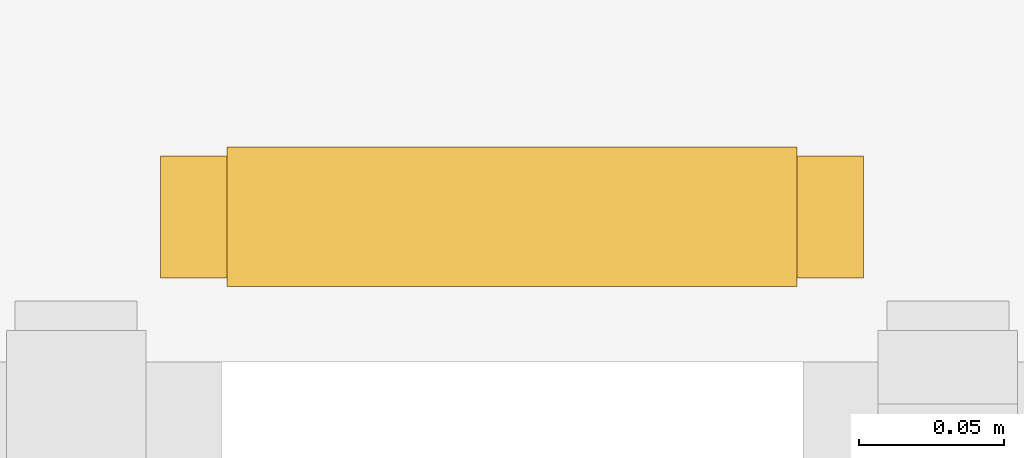
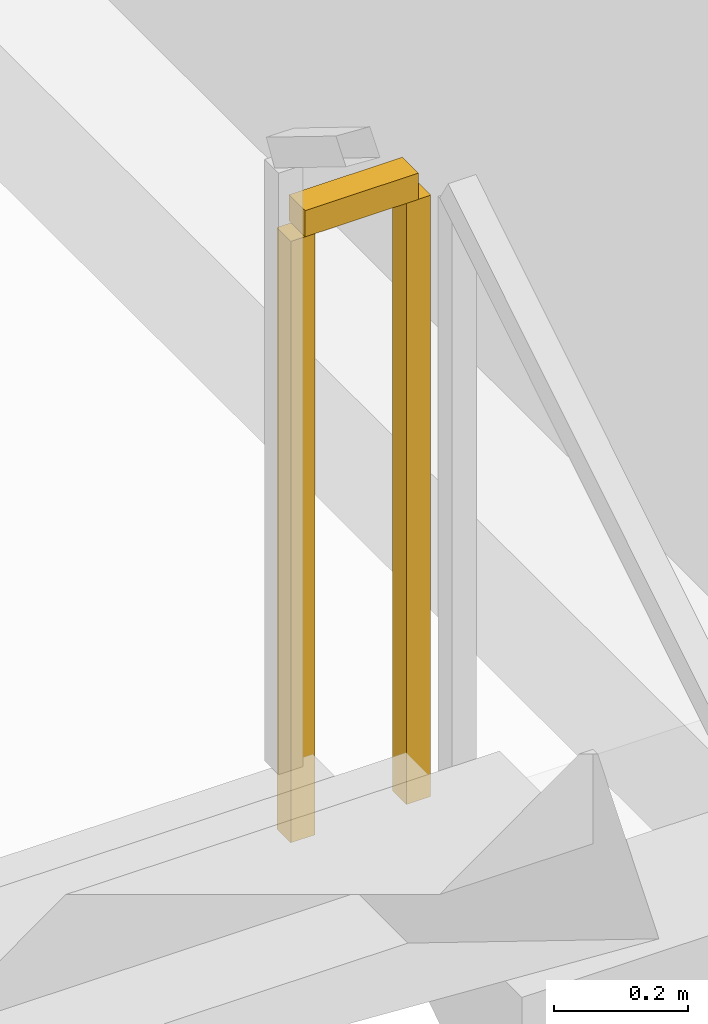
# One storey, part 29 of 29: 1 railing.
"""IFC4 building model written with IfcOpenShell, lengths in metres."""

import ifcopenshell
import ifcopenshell.guid

model = None  # the IFC model being written
_history = None  # IfcOwnerHistory: only IFC2X3 demands one
_inside = {}  # id of a spatial element -> (the spatial element, [elements in it])
_under = {}  # id of a project, library or spatial element -> (it, [spatial elements below it])
_declared = {}  # id of a project -> (the project, [libraries it declares])
_typed = {}  # id of a type object -> (the type object, [elements of that type])
_made_of = {}  # id of a material, layer set ... -> (it, [elements and type objects made of it])


def new_model(schema):
    """Start an empty IFC model of exactly this schema.

    Asked for "IFC4X3", IfcOpenShell would pick the latest addendum, in which some entities
    have other attributes; the version numbers below select the first issue.
    IFC2X3 requires an IfcOwnerHistory on every rooted entity: one is made here for all.
    """
    global model, _history
    if schema == "IFC4X3":
        model = ifcopenshell.file(schema_version=(4, 3, 0, 0))
    else:
        model = ifcopenshell.file(schema=schema)
    _inside.clear()
    _under.clear()
    _declared.clear()
    _typed.clear()
    _made_of.clear()
    _history = None
    if model.schema == "IFC2X3":
        org = make("IfcOrganization", Name="unknown")
        user = make(
            "IfcPersonAndOrganization",
            ThePerson=make("IfcPerson", FamilyName="unknown"),
            TheOrganization=org,
        )
        app = make(
            "IfcApplication",
            ApplicationDeveloper=org,
            Version="unknown",
            ApplicationFullName="unknown",
            ApplicationIdentifier="unknown",
        )
        _history = make(
            "IfcOwnerHistory",
            OwningUser=user,
            OwningApplication=app,
            ChangeAction="ADDED",
            CreationDate=0,
        )
    return model


def make(cls, **values):
    """One entity of the class cls with the attributes given. An attribute that is None is left unset."""
    return model.create_entity(
        cls, **{name: value for name, value in values.items() if value is not None}
    )


def rooted(cls, **values):
    """An entity with a GlobalId (a new one), such as an element, a storey or a relation."""
    return make(cls, GlobalId=ifcopenshell.guid.new(), OwnerHistory=_history, **values)


def si_unit(unit_type, name, prefix=None):
    """IfcSIUnit, for example si_unit("LENGTHUNIT", "METRE", prefix="MILLI")."""
    return make("IfcSIUnit", UnitType=unit_type, Prefix=prefix, Name=name)


def assignment(units):
    """IfcUnitAssignment: the units of a project."""
    return None if units is None else make("IfcUnitAssignment", Units=units)


def point(xyz):
    """IfcCartesianPoint."""
    return None if xyz is None else make("IfcCartesianPoint", Coordinates=xyz)


def direction(xyz):
    """IfcDirection."""
    return None if xyz is None else make("IfcDirection", DirectionRatios=xyz)


def frame(location, z_axis=None, x_axis=None):
    """IfcAxis2Placement3D, a coordinate frame: its origin and axes. An axis left out is left unset."""
    return make(
        "IfcAxis2Placement3D",
        Location=point(location),
        Axis=direction(z_axis),
        RefDirection=direction(x_axis),
    )


def frame_2d(location, x_axis=None):
    """IfcAxis2Placement2D, a coordinate frame in the plane: its origin and x axis."""
    return make(
        "IfcAxis2Placement2D", Location=point(location), RefDirection=direction(x_axis)
    )


def origin():
    """The frame at (0, 0, 0) with its axes left unset."""
    return frame((0.0, 0.0, 0.0))


def origin_2d():
    """The frame at (0, 0) in the plane with its x axis left unset."""
    return frame_2d((0.0, 0.0))


def place(relative_to, where):
    """IfcLocalPlacement: puts the frame where relative to a parent placement (None: the world)."""
    return make(
        "IfcLocalPlacement", PlacementRelTo=relative_to, RelativePlacement=where
    )


def context(
    kind, dimensions, precision=None, world=None, true_north=None, identifier=None
):
    """IfcGeometricRepresentationContext, for example the 3D "Model" context."""
    return make(
        "IfcGeometricRepresentationContext",
        ContextIdentifier=identifier,
        ContextType=kind,
        CoordinateSpaceDimension=dimensions,
        Precision=precision,
        WorldCoordinateSystem=world,
        TrueNorth=true_north,
    )


def subcontext(parent, identifier, kind, view, scale=None):
    """IfcGeometricRepresentationSubContext, for example "Body" below "Model"."""
    return make(
        "IfcGeometricRepresentationSubContext",
        ContextIdentifier=identifier,
        ContextType=kind,
        ParentContext=parent,
        TargetScale=scale,
        TargetView=view,
    )


def project(units=None, contexts=None):
    """IfcProject with its units and contexts."""
    return rooted(
        "IfcProject",
        Name="project",
        RepresentationContexts=contexts,
        UnitsInContext=assignment(units),
    )


def spatial(cls, under=None, at=None, **own):
    """A site, building, storey or space (cls), placed at a placement, below another one or the project."""
    s = rooted(cls, ObjectPlacement=at, **own)
    if under is not None:
        _under.setdefault(under.id(), (under, []))[1].append(s)
    return s


def profile(cls, at=None, kind="AREA", **sizes):
    """A parametric profile (cls). Its sizes go by their IFC names, for example OverallWidth=200.0."""
    return make(cls, ProfileType=kind, Position=at, **sizes)


def rectangle(**sizes):
    """IfcRectangleProfileDef."""
    return profile("IfcRectangleProfileDef", **sizes)


def extrude(swept, where, along, depth):
    """IfcExtrudedAreaSolid: the profile swept, set in the frame where, extruded along a direction by depth."""
    return make(
        "IfcExtrudedAreaSolid",
        SweptArea=swept,
        Position=where,
        ExtrudedDirection=direction(along),
        Depth=depth,
    )


def shape(context_of_items, identifier, shape_type, items):
    """IfcShapeRepresentation: the items that make up one representation, for example the "Body"."""
    return make(
        "IfcShapeRepresentation",
        ContextOfItems=context_of_items,
        RepresentationIdentifier=identifier,
        RepresentationType=shape_type,
        Items=items,
    )


def material(Name=None, Category=None):
    """IfcMaterial."""
    return make("IfcMaterial", Name=Name, Category=Category)


def made_of(thing, what):
    """Note that an element or type object is made of a material, layer set ...; save() writes the relation."""
    if what is not None:
        _made_of.setdefault(what.id(), (what, []))[1].append(thing)
    return thing


def type_object(cls, material=None, **own):
    """A type object (cls), such as IfcWallType, which elements share."""
    return made_of(rooted(cls, **own), material)


def element(
    cls,
    number,
    at=None,
    inside=None,
    cuts=None,
    type_object=None,
    material=None,
    context=None,
    identifier="Body",
    shape_type=None,
    held_by="IfcProductDefinitionShape",
    body=None,
    shapes=None,
    **own,
):
    """One element of the class cls, such as IfcWall. Its Tag is "e" and its number.

    at: its placement. inside: the storey or other place that contains it. cuts: it is an
    opening in that element (IfcRelVoidsElement). A single representation is given by context,
    identifier, shape_type and body (its items); several are given by shapes. held_by: the class
    of the entity that holds the representations. save() writes the other relations.
    """
    e = rooted(cls, Tag="e%d" % number, ObjectPlacement=at, **own)
    if body is not None:
        shapes = [shape(context, identifier, shape_type, body)]
    if shapes is not None:
        e.Representation = make(held_by, Representations=shapes)
    if inside is not None:
        _inside.setdefault(inside.id(), (inside, []))[1].append(e)
    if cuts is not None:
        rooted(
            "IfcRelVoidsElement", RelatingBuildingElement=cuts, RelatedOpeningElement=e
        )
    if type_object is not None:
        _typed.setdefault(type_object.id(), (type_object, []))[1].append(e)
    return made_of(e, material)


def aggregate(whole, parts):
    """IfcRelAggregates: a whole, such as a stair, and the parts it consists of."""
    return rooted("IfcRelAggregates", RelatingObject=whole, RelatedObjects=parts)


def save(model, path):
    """Write the relations noted so far, then the file.

    IfcRelAggregates (storeys below a building ...), IfcRelContainedInSpatialStructure (elements
    in a storey), IfcRelDefinesByType, IfcRelAssociatesMaterial and IfcRelDeclares: one each for
    every whole, place, type object, material and project.
    """
    for whole, parts in _under.values():
        aggregate(whole, parts)
    for where, things in _inside.values():
        rooted(
            "IfcRelContainedInSpatialStructure",
            RelatedElements=things,
            RelatingStructure=where,
        )
    for kind, things in _typed.values():
        rooted("IfcRelDefinesByType", RelatedObjects=things, RelatingType=kind)
    for what, things in _made_of.values():
        rooted("IfcRelAssociatesMaterial", RelatedObjects=things, RelatingMaterial=what)
    for by, libraries in _declared.values():
        rooted("IfcRelDeclares", RelatingContext=by, RelatedDefinitions=libraries)
    model.write(path)


model = new_model("IFC4")

# Units and contexts
model_context = context("Model", 3, precision=1e-05, world=origin(), true_north=direction((0.0, 1.0)))
body_context = subcontext(model_context, "Body", "Model", "MODEL_VIEW")
ifc_project = project(units=[si_unit("LENGTHUNIT", "METRE"), si_unit("AREAUNIT", "SQUARE_METRE"), si_unit("VOLUMEUNIT", "CUBIC_METRE"), si_unit("PLANEANGLEUNIT", "RADIAN"), si_unit("MASSUNIT", "GRAM", prefix="KILO")], contexts=[model_context])

# Site, building, storey
site_placement = place(None, origin())
site = spatial("IfcSite", under=ifc_project, at=site_placement, CompositionType="ELEMENT")
building_placement = place(site_placement, origin())
building = spatial("IfcBuilding", under=site, at=building_placement, Name="Zuhravey Tower", CompositionType="ELEMENT")
storey_placement = place(building_placement, frame((0.0, 0.0, 269.199951171875)))
storey = spatial("IfcBuildingStorey", under=building, at=storey_placement, Name="L68", CompositionType="ELEMENT", Elevation=269.199951171875)

# Railing
ifc_material = material(Name="Painted tubular steel", Category="steel")
railing_type = type_object("IfcRailingType", Name="Stair Well Guardrail 1150", PredefinedType="GUARDRAIL", material=ifc_material)
railing_placement = place(storey_placement, frame((44.199951171875, 36.050048828125, 1.900146484375)))
element("IfcRailing", 1, at=railing_placement, inside=storey, type_object=railing_type, Name="L68 ST2 stair guard 2", PredefinedType="GUARDRAIL", context=body_context, shape_type="SweptSolid", body=[
    extrude(rectangle(XDim=0.048095703125, YDim=0.048095703125, at=origin_2d()), frame((-0.001953125, 0.0, 1.1259765625), z_axis=(-1.0, 0.0, 0.0), x_axis=(0.0, -1.0, 0.0)), (0.0, 0.0, 1.0), 0.196044921875),
    extrude(rectangle(XDim=0.0419921875, YDim=0.0419921875, at=origin_2d()), origin(), (0.0, 0.0, 1.0), 1.099853515625),
    extrude(rectangle(XDim=0.0419921875, YDim=0.0419921875, at=origin_2d()), frame((-0.199951171875, 0.0, 0.0)), (0.0, 0.0, 1.0), 1.099853515625),
])

save(model, "model.ifc")
